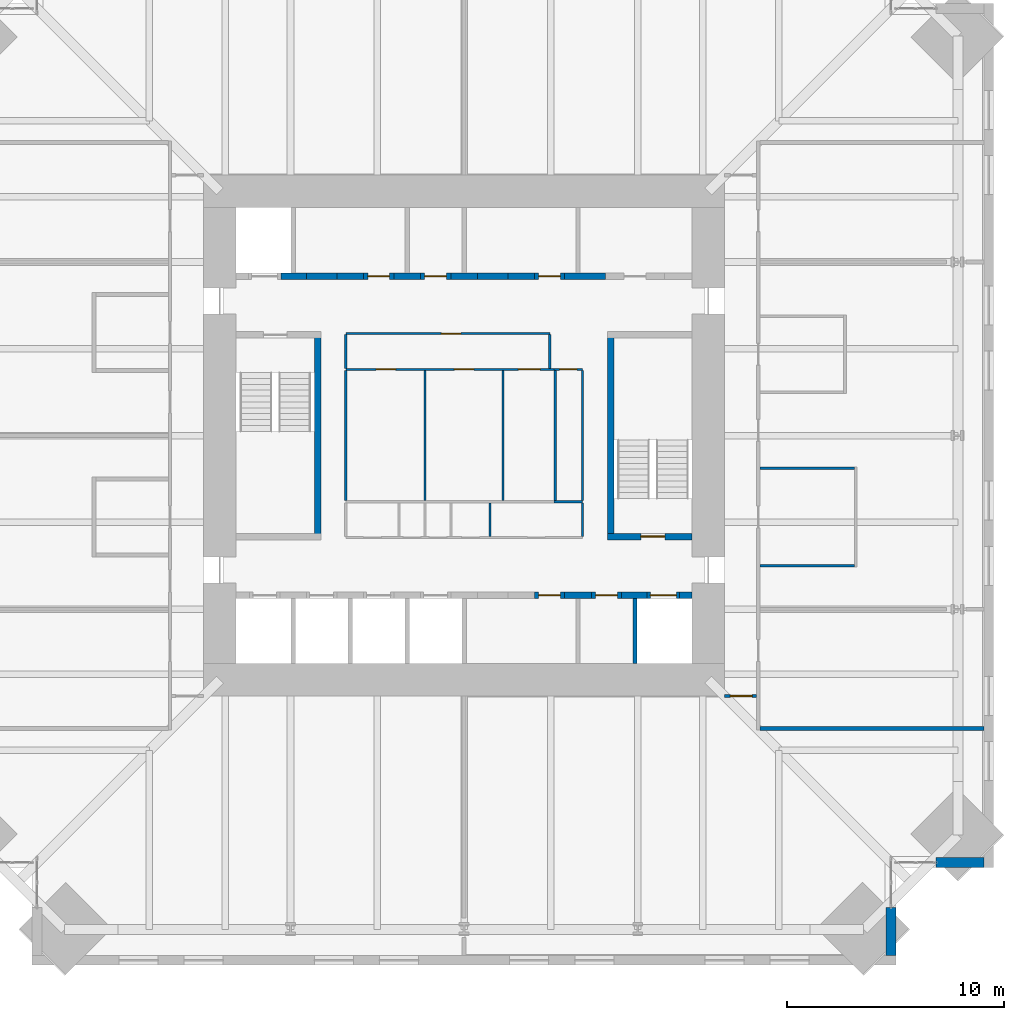
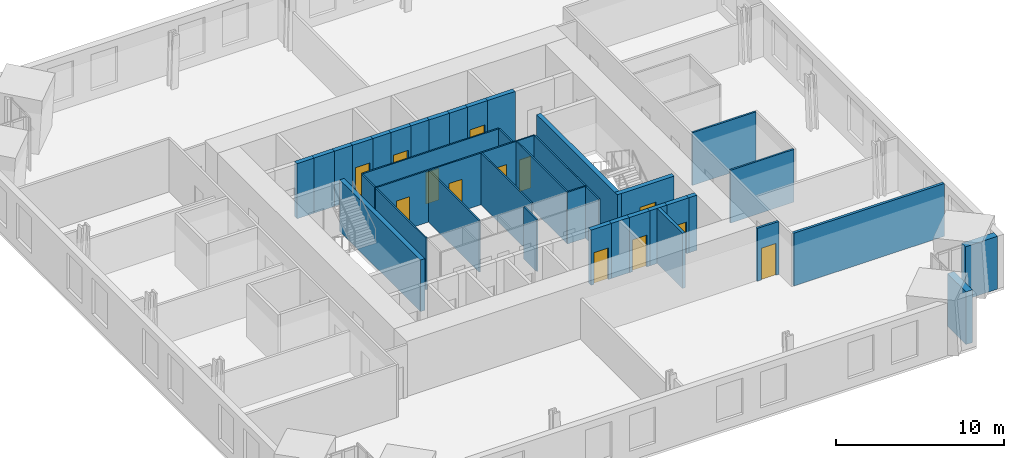
# One storey, part 12 of 15: 40 walls, 13 doors, 13 openings.
"""IFC4 building model written with IfcOpenShell, lengths in metres."""

from ifc_helpers import new_model, si_unit, direction, frame, frame_2d, origin, place, context, subcontext, project, spatial, rectangle, extrude, material, layer, layer_set, type_object, element, fill, save


model = new_model("IFC4")

# Units and contexts
model_context = context("Model", 3, precision=1e-05, world=origin(), true_north=direction((0.0, 1.0)))
body_context = subcontext(model_context, "Body", "Model", "MODEL_VIEW")
ifc_project = project(units=[si_unit("LENGTHUNIT", "METRE"), si_unit("AREAUNIT", "SQUARE_METRE"), si_unit("VOLUMEUNIT", "CUBIC_METRE"), si_unit("PLANEANGLEUNIT", "RADIAN"), si_unit("MASSUNIT", "GRAM", prefix="KILO")], contexts=[model_context])

# Site, building, storey
site_placement = place(None, origin())
site = spatial("IfcSite", under=ifc_project, at=site_placement, CompositionType="ELEMENT")
building_placement = place(site_placement, origin())
building = spatial("IfcBuilding", under=site, at=building_placement, Name="Peilmerk Tower", CompositionType="ELEMENT")
storey_placement = place(building_placement, frame((0.0, 0.0, 201.800048828125)))
storey = spatial("IfcBuildingStorey", under=building, at=storey_placement, Name="L43", CompositionType="ELEMENT", Elevation=201.800048828125)

# Walls
ifc_material_1 = material(Name="Precast concrete C45/55, board-marked finish", Category="concrete")
ifc_layer_1 = layer(ifc_material_1, 0.449951171875)
ifc_layer_set_1 = layer_set([ifc_layer_1], Name="Precast concrete C45/55, board-marked finish")
wall_type_1 = type_object("IfcWallType", Name="EW1 450 precast concrete facade wall, board-marked", PredefinedType="SOLIDWALL", material=ifc_layer_set_1)
for number, where, z_axis, x_axis, name in (
    (1, (19.675048828125, -21.753662109375, 0.0), (0.0, 0.0, 1.0), (0.0, -1.0, 0.0), "Facade wall SEA L43"),
    (2, (21.753662109375, -19.675048828125, 0.0), (0.0, 0.0, 1.0), (1.0, 0.0, 0.0), "Facade wall SEB L43"),
):
    element("IfcWall", number, at=place(storey_placement, frame(where, z_axis=z_axis, x_axis=x_axis)), inside=storey, type_object=wall_type_1, Name=name, PredefinedType="SOLIDWALL", context=body_context, shape_type="SweptSolid", body=[
        extrude(rectangle(XDim=2.1962890625, YDim=0.449951171875, at=frame_2d((1.09814453125, 0.0))), origin(), (0.0, 0.0, 1.0), 3.829833984375),
    ])

# Wall, opening, door
ifc_material_2 = material(Name="Calcium silicate block", Category="masonry")
ifc_layer_2 = layer(ifc_material_2, 0.14990234375)
ifc_layer_set_2 = layer_set([ifc_layer_2], Name="Calcium silicate block")
wall_type_2 = type_object("IfcWallType", Name="IW1 150 corridor partition, EI 60", PredefinedType="PARTITIONING", material=ifc_layer_set_2)
wall_1_placement = place(storey_placement, frame((13.47509765625, -12.0, 0.0), z_axis=(0.0, 0.0, 1.0), x_axis=(-1.0, 0.0, 0.0)))
wall_1 = element("IfcWall", 3, at=wall_1_placement, inside=storey, type_object=wall_type_2, Name="Corridor wall SE L43", PredefinedType="PARTITIONING", context=body_context, shape_type="SweptSolid", body=[
    extrude(rectangle(XDim=1.47509765625, YDim=0.14990234375, at=frame_2d((0.737548828125, 0.0))), origin(), (0.0, 0.0, 1.0), 3.829833984375),
])
opening_1_placement = place(wall_1_placement, frame((0.199951171875, 0.0, 0.0)))
opening_1 = element("IfcOpeningElement", 4, at=opening_1_placement, cuts=wall_1, Name="Opening D1", PredefinedType="OPENING", context=body_context, shape_type="SweptSolid", body=[
    extrude(rectangle(XDim=1.0, YDim=2.300048828125, at=frame_2d((0.5, 1.14990234375))), frame((0.0, 0.0849609375, 0.0), z_axis=(0.0, -1.0, 0.0), x_axis=(1.0, 0.0, 0.0)), (0.0, 0.0, 1.0), 0.169921875),
])
ifc_material_3 = material(Name="Timber door in steel frame", Category="steel")
door_type_1 = type_object("IfcDoorType", Name="D1 1000x2300 room door, EI2 30", OperationType="SINGLE_SWING_LEFT", PredefinedType="DOOR", material=ifc_material_3)
door_1_placement = place(opening_1_placement, origin())
door_1 = element("IfcDoor", 5, at=door_1_placement, inside=storey, type_object=door_type_1, Name="Door Engineering office L43", OperationType="SINGLE_SWING_LEFT", OverallHeight=2.300048828125, OverallWidth=1.0, PredefinedType="DOOR", context=body_context, shape_type="SweptSolid", body=[
    extrude(rectangle(XDim=1.0, YDim=2.300048828125, at=frame_2d((0.5, 1.14990234375))), frame((0.0, 0.02490234375, 0.0), z_axis=(0.0, -1.0, 0.0), x_axis=(1.0, 0.0, 0.0)), (0.0, 0.0, 1.0), 0.050048828125),
])
fill(opening_1, door_1)

# Walls
ifc_material_4 = material(Name="Concrete C35/45", Category="concrete")
ifc_layer_3 = layer(ifc_material_4, 0.300048828125)
ifc_layer_set_3 = layer_set([ifc_layer_3], Name="Concrete C35/45")
wall_type_3 = type_object("IfcWallType", Name="IW3 300 concrete stair enclosure wall, EI 120", PredefinedType="SOLIDWALL", material=ifc_layer_set_3)
for number, where, z_axis, x_axis, name in (
    (6, (-6.75, -4.800048828125, 0.0), (0.0, 0.0, 1.0), (0.0, 1.0, 0.0), "Stair 1 enclosure L43"),
    (7, (6.75, -4.800048828125, 0.0), (0.0, 0.0, 1.0), (0.0, 1.0, 0.0), "Stair 2 enclosure L43"),
):
    element("IfcWall", number, at=place(storey_placement, frame(where, z_axis=z_axis, x_axis=x_axis)), inside=storey, type_object=wall_type_3, Name=name, PredefinedType="SOLIDWALL", context=body_context, shape_type="SweptSolid", body=[
        extrude(rectangle(XDim=9.60009765625, YDim=0.300048828125, at=frame_2d((4.800048828125, 0.0))), origin(), (0.0, 0.0, 1.0), 3.75),
    ])

# Wall, opening, door
wall_2_placement = place(storey_placement, frame((10.5, -4.64990234375, 0.0), z_axis=(0.0, 0.0, 1.0), x_axis=(-1.0, 0.0, 0.0)))
wall_2 = element("IfcWall", 8, at=wall_2_placement, inside=storey, type_object=wall_type_3, Name="Stair 2 enclosure L43", PredefinedType="SOLIDWALL", context=body_context, shape_type="SweptSolid", body=[
    extrude(rectangle(XDim=3.89990234375, YDim=0.300048828125, at=frame_2d((1.949951171875, 0.0))), origin(), (0.0, 0.0, 1.0), 3.75),
])
opening_2_placement = place(wall_2_placement, frame((1.25, 0.0, 0.0)))
opening_2 = element("IfcOpeningElement", 9, at=opening_2_placement, cuts=wall_2, Name="Opening D4", PredefinedType="OPENING", context=body_context, shape_type="SweptSolid", body=[
    extrude(rectangle(XDim=1.10009765625, YDim=2.300048828125, at=frame_2d((0.550048828125, 1.14990234375))), frame((0.0, 0.159912109375, 0.0), z_axis=(0.0, -1.0, 0.0), x_axis=(1.0, 0.0, 0.0)), (0.0, 0.0, 1.0), 0.320068359375),
])
ifc_material_5 = material(Name="Steel door in steel frame", Category="steel")
door_type_2 = type_object("IfcDoorType", Name="D4 1100x2300 stair door, EI2 60", OperationType="SINGLE_SWING_RIGHT", PredefinedType="DOOR", material=ifc_material_5)
door_2_placement = place(opening_2_placement, frame((1.10009765625, 0.0, 0.0), z_axis=(0.0, 0.0, 1.0), x_axis=(-1.0, 0.0, 0.0)))
door_2 = element("IfcDoor", 10, at=door_2_placement, inside=storey, type_object=door_type_2, Name="Stair 2 door L43", OperationType="SINGLE_SWING_RIGHT", OverallHeight=2.300048828125, OverallWidth=1.10009765625, PredefinedType="DOOR", context=body_context, shape_type="SweptSolid", body=[
    extrude(rectangle(XDim=1.10009765625, YDim=2.300048828125, at=frame_2d((0.550048828125, 1.14990234375))), frame((0.0, 0.02490234375, 0.0), z_axis=(0.0, -1.0, 0.0), x_axis=(1.0, 0.0, 0.0)), (0.0, 0.0, 1.0), 0.050048828125),
])
fill(opening_2, door_2)

# Wall, openings, doors
ifc_material_6 = material(Name="Plasterboard on steel studs", Category="steel")
ifc_layer_4 = layer(ifc_material_6, 0.10009765625)
ifc_layer_set_4 = layer_set([ifc_layer_4], Name="Plasterboard on steel studs")
wall_type_4 = type_object("IfcWallType", Name="IW4 100 WC partition", PredefinedType="PARTITIONING", material=ifc_layer_set_4)
wall_3_placement = place(storey_placement, frame((-5.449951171875, 3.050048828125, 0.0), z_axis=(0.0, 0.0, 1.0), x_axis=(1.0, 0.0, 0.0)))
wall_3 = element("IfcWall", 11, at=wall_3_placement, inside=storey, type_object=wall_type_4, Name="WC wall L43", PredefinedType="PARTITIONING", context=body_context, shape_type="SweptSolid", body=[
    extrude(rectangle(XDim=9.599853515625, YDim=0.10009765625, at=frame_2d((4.7998046875, 0.0))), origin(), (0.0, 0.0, 1.0), 3.75),
])
opening_3_placement = place(wall_3_placement, frame((1.39990234375, 0.0, 0.0)))
opening_3 = element("IfcOpeningElement", 12, at=opening_3_placement, cuts=wall_3, Name="Opening D5", PredefinedType="OPENING", context=body_context, shape_type="SweptSolid", body=[
    extrude(rectangle(XDim=0.89990234375, YDim=2.300048828125, at=frame_2d((0.449951171875, 1.14990234375))), frame((0.0, 0.06005859375, 0.0), z_axis=(0.0, -1.0, 0.0), x_axis=(1.0, 0.0, 0.0)), (0.0, 0.0, 1.0), 0.1201171875),
])
opening_4_placement = place(wall_3_placement, frame((5.0, 0.0, 0.0)))
opening_4 = element("IfcOpeningElement", 13, at=opening_4_placement, cuts=wall_3, Name="Opening D5", PredefinedType="OPENING", context=body_context, shape_type="SweptSolid", body=[
    extrude(rectangle(XDim=0.89990234375, YDim=2.300048828125, at=frame_2d((0.449951171875, 1.14990234375))), frame((0.0, 0.06005859375, 0.0), z_axis=(0.0, -1.0, 0.0), x_axis=(1.0, 0.0, 0.0)), (0.0, 0.0, 1.0), 0.1201171875),
])
opening_5_placement = place(wall_3_placement, frame((7.949951171875, 0.0, 0.0)))
opening_5 = element("IfcOpeningElement", 14, at=opening_5_placement, cuts=wall_3, Name="Opening D6", PredefinedType="OPENING", context=body_context, shape_type="SweptSolid", body=[
    extrude(rectangle(XDim=1.0, YDim=2.300048828125, at=frame_2d((0.5, 1.14990234375))), frame((0.0, 0.06005859375, 0.0), z_axis=(0.0, -1.0, 0.0), x_axis=(1.0, 0.0, 0.0)), (0.0, 0.0, 1.0), 0.1201171875),
])
door_type_3 = type_object("IfcDoorType", Name="D5 900x2300 WC door", OperationType="SINGLE_SWING_LEFT", PredefinedType="DOOR", material=ifc_material_3)
door_3_placement = place(opening_3_placement, frame((0.89990234375, 0.0, 0.0), z_axis=(0.0, 0.0, 1.0), x_axis=(-1.0, 0.0, 0.0)))
door_3 = element("IfcDoor", 15, at=door_3_placement, inside=storey, type_object=door_type_3, Name="Male toilets door L43", OperationType="SINGLE_SWING_LEFT", OverallHeight=2.300048828125, OverallWidth=0.89990234375, PredefinedType="DOOR", context=body_context, shape_type="SweptSolid", body=[
    extrude(rectangle(XDim=0.89990234375, YDim=2.300048828125, at=frame_2d((0.449951171875, 1.14990234375))), frame((0.0, 0.02490234375, 0.0), z_axis=(0.0, -1.0, 0.0), x_axis=(1.0, 0.0, 0.0)), (0.0, 0.0, 1.0), 0.050048828125),
])
fill(opening_3, door_3)
door_4_placement = place(opening_4_placement, frame((0.89990234375, 0.0, 0.0), z_axis=(0.0, 0.0, 1.0), x_axis=(-1.0, 0.0, 0.0)))
door_4 = element("IfcDoor", 16, at=door_4_placement, inside=storey, type_object=door_type_3, Name="Female toilets door L43", OperationType="SINGLE_SWING_LEFT", OverallHeight=2.300048828125, OverallWidth=0.89990234375, PredefinedType="DOOR", context=body_context, shape_type="SweptSolid", body=[
    extrude(rectangle(XDim=0.89990234375, YDim=2.300048828125, at=frame_2d((0.449951171875, 1.14990234375))), frame((0.0, 0.02490234375, 0.0), z_axis=(0.0, -1.0, 0.0), x_axis=(1.0, 0.0, 0.0)), (0.0, 0.0, 1.0), 0.050048828125),
])
fill(opening_4, door_4)
door_type_4 = type_object("IfcDoorType", Name="D6 1000x2300 accessible WC door", OperationType="SLIDING_TO_LEFT", PredefinedType="DOOR", material=ifc_material_3)
door_5_placement = place(opening_5_placement, frame((1.0, 0.0, 0.0), z_axis=(0.0, 0.0, 1.0), x_axis=(-1.0, 0.0, 0.0)))
door_5 = element("IfcDoor", 17, at=door_5_placement, inside=storey, type_object=door_type_4, Name="Accessible WC door L43", OperationType="SLIDING_TO_LEFT", OverallHeight=2.300048828125, OverallWidth=1.0, PredefinedType="DOOR", context=body_context, shape_type="SweptSolid", body=[
    extrude(rectangle(XDim=1.0, YDim=2.300048828125, at=frame_2d((0.5, 1.14990234375))), frame((0.0, 0.02490234375, 0.0), z_axis=(0.0, -1.0, 0.0), x_axis=(1.0, 0.0, 0.0)), (0.0, 0.0, 1.0), 0.050048828125),
])
fill(opening_5, door_5)

# Walls
for number, where, z_axis, x_axis, name in (
    (18, (-5.449951171875, -3.0, 0.0), (0.0, 0.0, 1.0), (0.0, 1.0, 0.0), "WC wall L43"),
    (19, (-1.800048828125, -3.0, 0.0), (0.0, 0.0, 1.0), (0.0, 1.0, 0.0), "WC wall L43"),
    (20, (1.800048828125, -3.0, 0.0), (0.0, 0.0, 1.0), (0.0, 1.0, 0.0), "WC wall L43"),
):
    element("IfcWall", number, at=place(storey_placement, frame(where, z_axis=z_axis, x_axis=x_axis)), inside=storey, type_object=wall_type_4, Name=name, PredefinedType="PARTITIONING", context=body_context, shape_type="SweptSolid", body=[
        extrude(rectangle(XDim=6.0, YDim=0.10009765625, at=frame_2d((3.0, 0.0))), origin(), (0.0, 0.0, 1.0), 3.75),
    ])

# Wall, opening, door
ifc_material_7 = material(Name="Calcium silicate board on steel studs", Category="steel")
ifc_layer_5 = layer(ifc_material_7, 0.10009765625)
ifc_layer_set_5 = layer_set([ifc_layer_5], Name="Calcium silicate board on steel studs")
wall_type_5 = type_object("IfcWallType", Name="IW5 100 riser enclosure wall, EI 60", PredefinedType="PARTITIONING", material=ifc_layer_set_5)
wall_4_placement = place(storey_placement, frame((4.14990234375, 3.050048828125, 0.0), z_axis=(0.0, 0.0, 1.0), x_axis=(1.0, 0.0, 0.0)))
wall_4 = element("IfcWall", 21, at=wall_4_placement, inside=storey, type_object=wall_type_5, Name="Riser wall L43", PredefinedType="PARTITIONING", context=body_context, shape_type="SweptSolid", body=[
    extrude(rectangle(XDim=1.300048828125, YDim=0.10009765625, at=frame_2d((0.64990234375, 0.0))), origin(), (0.0, 0.0, 1.0), 3.75),
])
opening_6_placement = place(wall_4_placement, frame((0.25, 0.0, 0.0)))
opening_6 = element("IfcOpeningElement", 22, at=opening_6_placement, cuts=wall_4, Name="Opening D7", PredefinedType="OPENING", context=body_context, shape_type="SweptSolid", body=[
    extrude(rectangle(XDim=0.800048828125, YDim=2.300048828125, at=frame_2d((0.39990234375, 1.14990234375))), frame((0.0, 0.06005859375, 0.0), z_axis=(0.0, -1.0, 0.0), x_axis=(1.0, 0.0, 0.0)), (0.0, 0.0, 1.0), 0.1201171875),
])
door_type_5 = type_object("IfcDoorType", Name="D7 800x2300 riser access door, EI2 60", OperationType="SINGLE_SWING_RIGHT", PredefinedType="DOOR", material=ifc_material_5)
door_6_placement = place(opening_6_placement, frame((0.800048828125, 0.0, 0.0), z_axis=(0.0, 0.0, 1.0), x_axis=(-1.0, 0.0, 0.0)))
door_6 = element("IfcDoor", 23, at=door_6_placement, inside=storey, type_object=door_type_5, Name="Plumbing riser door L43", OperationType="SINGLE_SWING_RIGHT", OverallHeight=2.300048828125, OverallWidth=0.800048828125, PredefinedType="DOOR", context=body_context, shape_type="SweptSolid", body=[
    extrude(rectangle(XDim=0.800048828125, YDim=2.300048828125, at=frame_2d((0.39990234375, 1.14990234375))), frame((0.0, 0.02490234375, 0.0), z_axis=(0.0, -1.0, 0.0), x_axis=(1.0, 0.0, 0.0)), (0.0, 0.0, 1.0), 0.050048828125),
])
fill(opening_6, door_6)

# Walls
wall_5_placement = place(storey_placement, frame((5.449951171875, -3.050048828125, 0.0), z_axis=(0.0, 0.0, 1.0), x_axis=(-1.0, 0.0, 0.0)))
element("IfcWall", 24, at=wall_5_placement, inside=storey, type_object=wall_type_5, Name="Riser wall L43", PredefinedType="PARTITIONING", context=body_context, shape_type="SweptSolid", body=[
    extrude(rectangle(XDim=1.300048828125, YDim=0.10009765625, at=frame_2d((0.64990234375, 0.0))), origin(), (0.0, 0.0, 1.0), 3.75),
])
for number, where, z_axis, x_axis, name in (
    (25, (5.449951171875, 3.0, 0.0), (0.0, 0.0, 1.0), (0.0, -1.0, 0.0), "Riser wall L43"),
    (26, (4.199951171875, -3.0, 0.0), (0.0, 0.0, 1.0), (0.0, 1.0, 0.0), "Riser wall L43"),
):
    element("IfcWall", number, at=place(storey_placement, frame(where, z_axis=z_axis, x_axis=x_axis)), inside=storey, type_object=wall_type_5, Name=name, PredefinedType="PARTITIONING", context=body_context, shape_type="SweptSolid", body=[
        extrude(rectangle(XDim=6.0, YDim=0.10009765625, at=frame_2d((3.0, 0.0))), origin(), (0.0, 0.0, 1.0), 3.75),
    ])
for number, where, z_axis, x_axis, name in (
    (27, (5.449951171875, -3.10009765625, 0.0), (0.0, 0.0, 1.0), (0.0, -1.0, 0.0), "Riser wall L43"),
    (28, (1.199951171875, -3.10009765625, 0.0), (0.0, 0.0, 1.0), (0.0, -1.0, 0.0), "Riser wall L43"),
):
    element("IfcWall", number, at=place(storey_placement, frame(where, z_axis=z_axis, x_axis=x_axis)), inside=storey, type_object=wall_type_5, Name=name, PredefinedType="PARTITIONING", context=body_context, shape_type="SweptSolid", body=[
        extrude(rectangle(XDim=1.5498046875, YDim=0.10009765625, at=frame_2d((0.77490234375, 0.0))), origin(), (0.0, 0.0, 1.0), 3.75),
    ])
ifc_material_8 = material(Name="Plasterboard on steel studs, double boarded with mineral wool", Category="steel")
ifc_layer_6 = layer(ifc_material_8, 0.125)
ifc_layer_set_6 = layer_set([ifc_layer_6], Name="Plasterboard on steel studs, double boarded with mineral wool")
wall_type_6 = type_object("IfcWallType", Name="IW7 125 acoustic partition, EI 30", PredefinedType="PARTITIONING", material=ifc_layer_set_6)
for number, where, z_axis, x_axis, name in (
    (29, (13.625, -6.0, 0.0), (0.0, 0.0, 1.0), (1.0, 0.0, 0.0), "Acoustic partition Meeting room L43"),
    (30, (13.625, -1.5, 0.0), (0.0, 0.0, 1.0), (1.0, 0.0, 0.0), "Acoustic partition Meeting room L43"),
):
    element("IfcWall", number, at=place(storey_placement, frame(where, z_axis=z_axis, x_axis=x_axis)), inside=storey, type_object=wall_type_6, Name=name, PredefinedType="PARTITIONING", context=body_context, shape_type="SweptSolid", body=[
        extrude(rectangle(XDim=4.362548828125, YDim=0.125, at=frame_2d((2.18115234375, 0.0))), origin(), (0.0, 0.0, 1.0), 3.829833984375),
    ])
ifc_layer_7 = layer(ifc_material_2, 0.175048828125)
ifc_layer_set_7 = layer_set([ifc_layer_7], Name="Calcium silicate block")
wall_type_7 = type_object("IfcWallType", Name="IW8 175 tenant separating wall, EI 60", PredefinedType="PARTITIONING", material=ifc_layer_set_7)
wall_6_placement = place(storey_placement, frame((23.949951171875, -13.5, 0.0), z_axis=(0.0, 0.0, 1.0), x_axis=(-1.0, 0.0, 0.0)))
element("IfcWall", 31, at=wall_6_placement, inside=storey, type_object=wall_type_7, Name="Tenant separating wall SE L43", PredefinedType="PARTITIONING", context=body_context, shape_type="SweptSolid", body=[
    extrude(rectangle(XDim=10.324951171875, YDim=0.175048828125, at=frame_2d((5.16259765625, 0.0))), origin(), (0.0, 0.0, 1.0), 3.829833984375),
])

# Wall, opening, door
ifc_material_9 = material(Name="Fire-resisting plasterboard on steel studs", Category="steel")
ifc_layer_8 = layer(ifc_material_9, 0.10009765625)
ifc_layer_set_8 = layer_set([ifc_layer_8], Name="Fire-resisting plasterboard on steel studs")
wall_type_8 = type_object("IfcWallType", Name="IW9 100 WC lobby wall, EI 30", PredefinedType="PARTITIONING", material=ifc_layer_set_8)
wall_7_placement = place(storey_placement, frame((-5.449951171875, 4.699951171875, 0.0), z_axis=(0.0, 0.0, 1.0), x_axis=(1.0, 0.0, 0.0)))
wall_7 = element("IfcWall", 32, at=wall_7_placement, inside=storey, type_object=wall_type_8, Name="WC lobby wall L43", PredefinedType="PARTITIONING", context=body_context, shape_type="SweptSolid", body=[
    extrude(rectangle(XDim=9.39990234375, YDim=0.10009765625, at=frame_2d((4.699951171875, 0.0))), origin(), (0.0, 0.0, 1.0), 3.75),
])
opening_7_placement = place(wall_7_placement, frame((4.39990234375, 0.0, 0.0)))
opening_7 = element("IfcOpeningElement", 33, at=opening_7_placement, cuts=wall_7, Name="Opening D11", PredefinedType="OPENING", context=body_context, shape_type="SweptSolid", body=[
    extrude(rectangle(XDim=0.89990234375, YDim=2.300048828125, at=frame_2d((0.449951171875, 1.14990234375))), frame((0.0, 0.06005859375, 0.0), z_axis=(0.0, -1.0, 0.0), x_axis=(1.0, 0.0, 0.0)), (0.0, 0.0, 1.0), 0.1201171875),
])
door_type_6 = type_object("IfcDoorType", Name="D11 900x2300 WC lobby door, EI2 30", OperationType="SINGLE_SWING_LEFT", PredefinedType="DOOR", material=ifc_material_3)
door_7_placement = place(opening_7_placement, frame((0.89990234375, 0.0, 0.0), z_axis=(0.0, 0.0, 1.0), x_axis=(-1.0, 0.0, 0.0)))
door_7 = element("IfcDoor", 34, at=door_7_placement, inside=storey, type_object=door_type_6, Name="WC lobby door L43", OperationType="SINGLE_SWING_LEFT", OverallHeight=2.300048828125, OverallWidth=0.89990234375, PredefinedType="DOOR", context=body_context, shape_type="SweptSolid", body=[
    extrude(rectangle(XDim=0.89990234375, YDim=2.300048828125, at=frame_2d((0.449951171875, 1.14990234375))), frame((0.0, 0.02490234375, 0.0), z_axis=(0.0, -1.0, 0.0), x_axis=(1.0, 0.0, 0.0)), (0.0, 0.0, 1.0), 0.050048828125),
])
fill(opening_7, door_7)

# Walls
for number, where, z_axis, x_axis, name in (
    (35, (-5.449951171875, 3.10009765625, 0.0), (0.0, 0.0, 1.0), (0.0, 1.0, 0.0), "WC lobby wall L43"),
    (36, (3.949951171875, 3.10009765625, 0.0), (0.0, 0.0, 1.0), (0.0, 1.0, 0.0), "WC lobby wall L43"),
):
    element("IfcWall", number, at=place(storey_placement, frame(where, z_axis=z_axis, x_axis=x_axis)), inside=storey, type_object=wall_type_8, Name=name, PredefinedType="PARTITIONING", context=body_context, shape_type="SweptSolid", body=[
        extrude(rectangle(XDim=1.5498046875, YDim=0.10009765625, at=frame_2d((0.77490234375, 0.0))), origin(), (0.0, 0.0, 1.0), 3.75),
    ])
ifc_layer_9 = layer(ifc_material_2, 0.199951171875)
ifc_layer_set_9 = layer_set([ifc_layer_9], Name="Calcium silicate block")
wall_type_9 = type_object("IfcWallType", Name="SH1 200 shaft dividing wall, EI 120", PredefinedType="PARTITIONING", material=ifc_layer_set_9)
wall_8_placement = place(storey_placement, frame((7.875, -10.5, 0.0), z_axis=(0.0, 0.0, 1.0), x_axis=(0.0, 1.0, 0.0)))
element("IfcWall", 37, at=wall_8_placement, inside=storey, type_object=wall_type_9, Name="Shaft wall S B1 L43", PredefinedType="PARTITIONING", context=body_context, shape_type="SweptSolid", body=[
    extrude(rectangle(XDim=3.0, YDim=0.199951171875, at=frame_2d((1.5, 0.0))), origin(), (0.0, 0.0, 1.0), 4.0),
])
ifc_layer_10 = layer(ifc_material_2, 0.300048828125)
ifc_layer_set_10 = layer_set([ifc_layer_10], Name="Calcium silicate block")
wall_type_10 = type_object("IfcWallType", Name="SH2 300 lift landing door panel, EI 120", PredefinedType="PARTITIONING", material=ifc_layer_set_10)
wall_9_placement = place(storey_placement, frame((-7.262451171875, 7.35009765625, 0.0), z_axis=(0.0, 0.0, 1.0), x_axis=(1.0, 0.0, 0.0)))
element("IfcWall", 38, at=wall_9_placement, inside=storey, type_object=wall_type_10, Name="Lift door panel N A1 L43", PredefinedType="PARTITIONING", context=body_context, shape_type="SweptSolid", body=[
    extrude(rectangle(XDim=1.39990234375, YDim=0.300048828125, at=frame_2d((0.699951171875, 0.0))), origin(), (0.0, 0.0, 1.0), 4.0),
])

# Wall, opening, door
wall_10_placement = place(storey_placement, frame((-4.637451171875, 7.35009765625, 0.0), z_axis=(0.0, 0.0, 1.0), x_axis=(1.0, 0.0, 0.0)))
wall_10 = element("IfcWall", 39, at=wall_10_placement, inside=storey, type_object=wall_type_10, Name="Lift door panel N A2 L43", PredefinedType="PARTITIONING", context=body_context, shape_type="SweptSolid", body=[
    extrude(rectangle(XDim=1.39990234375, YDim=0.300048828125, at=frame_2d((0.699951171875, 0.0))), origin(), (0.0, 0.0, 1.0), 4.0),
])
opening_8_placement = place(wall_10_placement, frame((0.199951171875, 0.0, 0.0)))
opening_8 = element("IfcOpeningElement", 40, at=opening_8_placement, cuts=wall_10, Name="Opening D10", PredefinedType="OPENING", context=body_context, shape_type="SweptSolid", body=[
    extrude(rectangle(XDim=1.0, YDim=2.300048828125, at=frame_2d((0.5, 1.14990234375))), frame((0.0, 0.159912109375, 0.0), z_axis=(0.0, -1.0, 0.0), x_axis=(1.0, 0.0, 0.0)), (0.0, 0.0, 1.0), 0.320068359375),
])
door_type_7 = type_object("IfcDoorType", Name="D10 1000x2300 core room door, EI2 60", OperationType="SINGLE_SWING_RIGHT", PredefinedType="DOOR", material=ifc_material_5)
door_8_placement = place(opening_8_placement, origin())
door_8 = element("IfcDoor", 41, at=door_8_placement, inside=storey, type_object=door_type_7, Name="Door Staff room L43", OperationType="SINGLE_SWING_RIGHT", OverallHeight=2.300048828125, OverallWidth=1.0, PredefinedType="DOOR", context=body_context, shape_type="SweptSolid", body=[
    extrude(rectangle(XDim=1.0, YDim=2.300048828125, at=frame_2d((0.5, 1.14990234375))), frame((0.0, 0.02490234375, 0.0), z_axis=(0.0, -1.0, 0.0), x_axis=(1.0, 0.0, 0.0)), (0.0, 0.0, 1.0), 0.050048828125),
])
fill(opening_8, door_8)

wall_11_placement = place(storey_placement, frame((-2.012451171875, 7.35009765625, 0.0), z_axis=(0.0, 0.0, 1.0), x_axis=(1.0, 0.0, 0.0)))
wall_11 = element("IfcWall", 42, at=wall_11_placement, inside=storey, type_object=wall_type_10, Name="Lift door panel N A3 L43", PredefinedType="PARTITIONING", context=body_context, shape_type="SweptSolid", body=[
    extrude(rectangle(XDim=1.39990234375, YDim=0.300048828125, at=frame_2d((0.699951171875, 0.0))), origin(), (0.0, 0.0, 1.0), 4.0),
])
opening_9_placement = place(wall_11_placement, frame((0.199951171875, 0.0, 0.0)))
opening_9 = element("IfcOpeningElement", 43, at=opening_9_placement, cuts=wall_11, Name="Opening D10", PredefinedType="OPENING", context=body_context, shape_type="SweptSolid", body=[
    extrude(rectangle(XDim=1.0, YDim=2.300048828125, at=frame_2d((0.5, 1.14990234375))), frame((0.0, 0.159912109375, 0.0), z_axis=(0.0, -1.0, 0.0), x_axis=(1.0, 0.0, 0.0)), (0.0, 0.0, 1.0), 0.320068359375),
])
door_9_placement = place(opening_9_placement, origin())
door_9 = element("IfcDoor", 44, at=door_9_placement, inside=storey, type_object=door_type_7, Name="Door Water meter room L43", OperationType="SINGLE_SWING_RIGHT", OverallHeight=2.300048828125, OverallWidth=1.0, PredefinedType="DOOR", context=body_context, shape_type="SweptSolid", body=[
    extrude(rectangle(XDim=1.0, YDim=2.300048828125, at=frame_2d((0.5, 1.14990234375))), frame((0.0, 0.02490234375, 0.0), z_axis=(0.0, -1.0, 0.0), x_axis=(1.0, 0.0, 0.0)), (0.0, 0.0, 1.0), 0.050048828125),
])
fill(opening_9, door_9)

# Wall
wall_12_placement = place(storey_placement, frame((0.612548828125, 7.35009765625, 0.0), z_axis=(0.0, 0.0, 1.0), x_axis=(1.0, 0.0, 0.0)))
element("IfcWall", 45, at=wall_12_placement, inside=storey, type_object=wall_type_10, Name="Lift door panel N S1 L43", PredefinedType="PARTITIONING", context=body_context, shape_type="SweptSolid", body=[
    extrude(rectangle(XDim=1.39990234375, YDim=0.300048828125, at=frame_2d((0.699951171875, 0.0))), origin(), (0.0, 0.0, 1.0), 4.0),
])

# Wall, opening, door
wall_13_placement = place(storey_placement, frame((3.237548828125, 7.35009765625, 0.0), z_axis=(0.0, 0.0, 1.0), x_axis=(1.0, 0.0, 0.0)))
wall_13 = element("IfcWall", 46, at=wall_13_placement, inside=storey, type_object=wall_type_10, Name="Lift door panel N S2 L43", PredefinedType="PARTITIONING", context=body_context, shape_type="SweptSolid", body=[
    extrude(rectangle(XDim=1.39990234375, YDim=0.300048828125, at=frame_2d((0.699951171875, 0.0))), origin(), (0.0, 0.0, 1.0), 4.0),
])
opening_10_placement = place(wall_13_placement, frame((0.199951171875, 0.0, 0.0)))
opening_10 = element("IfcOpeningElement", 47, at=opening_10_placement, cuts=wall_13, Name="Opening D10", PredefinedType="OPENING", context=body_context, shape_type="SweptSolid", body=[
    extrude(rectangle(XDim=1.0, YDim=2.300048828125, at=frame_2d((0.5, 1.14990234375))), frame((0.0, 0.159912109375, 0.0), z_axis=(0.0, -1.0, 0.0), x_axis=(1.0, 0.0, 0.0)), (0.0, 0.0, 1.0), 0.320068359375),
])
door_10_placement = place(opening_10_placement, origin())
door_10 = element("IfcDoor", 48, at=door_10_placement, inside=storey, type_object=door_type_7, Name="Door First aid room L43", OperationType="SINGLE_SWING_RIGHT", OverallHeight=2.300048828125, OverallWidth=1.0, PredefinedType="DOOR", context=body_context, shape_type="SweptSolid", body=[
    extrude(rectangle(XDim=1.0, YDim=2.300048828125, at=frame_2d((0.5, 1.14990234375))), frame((0.0, 0.02490234375, 0.0), z_axis=(0.0, -1.0, 0.0), x_axis=(1.0, 0.0, 0.0)), (0.0, 0.0, 1.0), 0.050048828125),
])
fill(opening_10, door_10)

wall_14_placement = place(storey_placement, frame((3.237548828125, -7.35009765625, 0.0), z_axis=(0.0, 0.0, 1.0), x_axis=(1.0, 0.0, 0.0)))
wall_14 = element("IfcWall", 49, at=wall_14_placement, inside=storey, type_object=wall_type_10, Name="Lift door panel S B2 L43", PredefinedType="PARTITIONING", context=body_context, shape_type="SweptSolid", body=[
    extrude(rectangle(XDim=1.39990234375, YDim=0.300048828125, at=frame_2d((0.699951171875, 0.0))), origin(), (0.0, 0.0, 1.0), 4.0),
])
opening_11_placement = place(wall_14_placement, frame((0.199951171875, 0.0, 0.0)))
opening_11 = element("IfcOpeningElement", 50, at=opening_11_placement, cuts=wall_14, Name="Opening D10", PredefinedType="OPENING", context=body_context, shape_type="SweptSolid", body=[
    extrude(rectangle(XDim=1.0, YDim=2.300048828125, at=frame_2d((0.5, 1.14990234375))), frame((0.0, 0.159912109375, 0.0), z_axis=(0.0, -1.0, 0.0), x_axis=(1.0, 0.0, 0.0)), (0.0, 0.0, 1.0), 0.320068359375),
])
door_11_placement = place(opening_11_placement, frame((1.0, 0.0, 0.0), z_axis=(0.0, 0.0, 1.0), x_axis=(-1.0, 0.0, 0.0)))
door_11 = element("IfcDoor", 51, at=door_11_placement, inside=storey, type_object=door_type_7, Name="Door Mail room L43", OperationType="SINGLE_SWING_RIGHT", OverallHeight=2.300048828125, OverallWidth=1.0, PredefinedType="DOOR", context=body_context, shape_type="SweptSolid", body=[
    extrude(rectangle(XDim=1.0, YDim=2.300048828125, at=frame_2d((0.5, 1.14990234375))), frame((0.0, 0.02490234375, 0.0), z_axis=(0.0, -1.0, 0.0), x_axis=(1.0, 0.0, 0.0)), (0.0, 0.0, 1.0), 0.050048828125),
])
fill(opening_11, door_11)

wall_15_placement = place(storey_placement, frame((5.862548828125, -7.35009765625, 0.0), z_axis=(0.0, 0.0, 1.0), x_axis=(1.0, 0.0, 0.0)))
wall_15 = element("IfcWall", 52, at=wall_15_placement, inside=storey, type_object=wall_type_10, Name="Lift door panel S B1 L43", PredefinedType="PARTITIONING", context=body_context, shape_type="SweptSolid", body=[
    extrude(rectangle(XDim=1.39990234375, YDim=0.300048828125, at=frame_2d((0.699951171875, 0.0))), origin(), (0.0, 0.0, 1.0), 4.0),
])
opening_12_placement = place(wall_15_placement, frame((0.199951171875, 0.0, 0.0)))
opening_12 = element("IfcOpeningElement", 53, at=opening_12_placement, cuts=wall_15, Name="Opening D10", PredefinedType="OPENING", context=body_context, shape_type="SweptSolid", body=[
    extrude(rectangle(XDim=1.0, YDim=2.300048828125, at=frame_2d((0.5, 1.14990234375))), frame((0.0, 0.159912109375, 0.0), z_axis=(0.0, -1.0, 0.0), x_axis=(1.0, 0.0, 0.0)), (0.0, 0.0, 1.0), 0.320068359375),
])
door_12_placement = place(opening_12_placement, frame((1.0, 0.0, 0.0), z_axis=(0.0, 0.0, 1.0), x_axis=(-1.0, 0.0, 0.0)))
door_12 = element("IfcDoor", 54, at=door_12_placement, inside=storey, type_object=door_type_7, Name="Door IT room L43", OperationType="SINGLE_SWING_RIGHT", OverallHeight=2.300048828125, OverallWidth=1.0, PredefinedType="DOOR", context=body_context, shape_type="SweptSolid", body=[
    extrude(rectangle(XDim=1.0, YDim=2.300048828125, at=frame_2d((0.5, 1.14990234375))), frame((0.0, 0.02490234375, 0.0), z_axis=(0.0, -1.0, 0.0), x_axis=(1.0, 0.0, 0.0)), (0.0, 0.0, 1.0), 0.050048828125),
])
fill(opening_12, door_12)

wall_16_placement = place(storey_placement, frame((8.4375, -7.35009765625, 0.0), z_axis=(0.0, 0.0, 1.0), x_axis=(1.0, 0.0, 0.0)))
wall_16 = element("IfcWall", 55, at=wall_16_placement, inside=storey, type_object=wall_type_10, Name="Lift door panel S FL2 L43", PredefinedType="PARTITIONING", context=body_context, shape_type="SweptSolid", body=[
    extrude(rectangle(XDim=1.5, YDim=0.300048828125, at=frame_2d((0.75, 0.0))), origin(), (0.0, 0.0, 1.0), 4.0),
])
opening_13_placement = place(wall_16_placement, frame((0.14990234375, 0.0, 0.0)))
opening_13 = element("IfcOpeningElement", 56, at=opening_13_placement, cuts=wall_16, Name="Opening LD2", PredefinedType="OPENING", context=body_context, shape_type="SweptSolid", body=[
    extrude(rectangle(XDim=1.199951171875, YDim=2.300048828125, at=frame_2d((0.60009765625, 1.14990234375))), frame((0.0, 0.159912109375, 0.0), z_axis=(0.0, -1.0, 0.0), x_axis=(1.0, 0.0, 0.0)), (0.0, 0.0, 1.0), 0.320068359375),
])
ifc_material_10 = material(Name="Stainless steel landing door", Category="steel")
door_type_8 = type_object("IfcDoorType", Name="LD2 1200x2300 lift landing door, sliding, EI2 60", OperationType="SLIDING_TO_LEFT", PredefinedType="DOOR", material=ifc_material_10)
door_13_placement = place(opening_13_placement, origin())
door_13 = element("IfcDoor", 57, at=door_13_placement, inside=storey, type_object=door_type_8, Name="Lift landing door FL2 L43", OperationType="SLIDING_TO_LEFT", OverallHeight=2.300048828125, OverallWidth=1.199951171875, PredefinedType="DOOR", context=body_context, shape_type="SweptSolid", body=[
    extrude(rectangle(XDim=1.199951171875, YDim=2.300048828125, at=frame_2d((0.60009765625, 1.14990234375))), frame((0.0, 0.02490234375, 0.0), z_axis=(0.0, -1.0, 0.0), x_axis=(1.0, 0.0, 0.0)), (0.0, 0.0, 1.0), 0.050048828125),
])
fill(opening_13, door_13)

# Walls
ifc_material_11 = material(Name="Concrete C55/67", Category="concrete")
ifc_layer_11 = layer(ifc_material_11, 0.300048828125)
ifc_layer_set_11 = layer_set([ifc_layer_11], Name="Concrete C55/67")
wall_type_11 = type_object("IfcWallType", Name="SW2 300 lift bank pier", PredefinedType="SHEAR", material=ifc_layer_set_11)
wall_17_placement = place(storey_placement, frame((-8.4375, 7.35009765625, 0.0), z_axis=(0.0, 0.0, 1.0), x_axis=(1.0, 0.0, 0.0)))
element("IfcWall", 58, at=wall_17_placement, inside=storey, type_object=wall_type_11, Name="Lift bank pier N L43", PredefinedType="SHEAR", context=body_context, shape_type="SweptSolid", body=[
    extrude(rectangle(XDim=1.175048828125, YDim=0.300048828125, at=frame_2d((0.58740234375, 0.0))), origin(), (0.0, 0.0, 1.0), 4.0),
])
for number, where, z_axis, x_axis, name in (
    (59, (-5.862548828125, 7.35009765625, 0.0), (0.0, 0.0, 1.0), (1.0, 0.0, 0.0), "Lift bank pier N L43"),
    (60, (-3.237548828125, 7.35009765625, 0.0), (0.0, 0.0, 1.0), (1.0, 0.0, 0.0), "Lift bank pier N L43"),
    (61, (-0.612548828125, 7.35009765625, 0.0), (0.0, 0.0, 1.0), (1.0, 0.0, 0.0), "Lift bank pier N L43"),
    (62, (2.012451171875, 7.35009765625, 0.0), (0.0, 0.0, 1.0), (1.0, 0.0, 0.0), "Lift bank pier N L43"),
):
    element("IfcWall", number, at=place(storey_placement, frame(where, z_axis=z_axis, x_axis=x_axis)), inside=storey, type_object=wall_type_11, Name=name, PredefinedType="SHEAR", context=body_context, shape_type="SweptSolid", body=[
        extrude(rectangle(XDim=1.22509765625, YDim=0.300048828125, at=frame_2d((0.612548828125, 0.0))), origin(), (0.0, 0.0, 1.0), 4.0),
    ])
wall_18_placement = place(storey_placement, frame((4.637451171875, 7.35009765625, 0.0), z_axis=(0.0, 0.0, 1.0), x_axis=(1.0, 0.0, 0.0)))
element("IfcWall", 63, at=wall_18_placement, inside=storey, type_object=wall_type_11, Name="Lift bank pier N L43", PredefinedType="SHEAR", context=body_context, shape_type="SweptSolid", body=[
    extrude(rectangle(XDim=1.887451171875, YDim=0.300048828125, at=frame_2d((0.94384765625, 0.0))), origin(), (0.0, 0.0, 1.0), 4.0),
])
wall_19_placement = place(storey_placement, frame((4.637451171875, -7.35009765625, 0.0), z_axis=(0.0, 0.0, 1.0), x_axis=(1.0, 0.0, 0.0)))
element("IfcWall", 64, at=wall_19_placement, inside=storey, type_object=wall_type_11, Name="Lift bank pier S L43", PredefinedType="SHEAR", context=body_context, shape_type="SweptSolid", body=[
    extrude(rectangle(XDim=1.22509765625, YDim=0.300048828125, at=frame_2d((0.612548828125, 0.0))), origin(), (0.0, 0.0, 1.0), 4.0),
])
wall_20_placement = place(storey_placement, frame((7.262451171875, -7.35009765625, 0.0), z_axis=(0.0, 0.0, 1.0), x_axis=(1.0, 0.0, 0.0)))
element("IfcWall", 65, at=wall_20_placement, inside=storey, type_object=wall_type_11, Name="Lift bank pier S L43", PredefinedType="SHEAR", context=body_context, shape_type="SweptSolid", body=[
    extrude(rectangle(XDim=1.175048828125, YDim=0.300048828125, at=frame_2d((0.58740234375, 0.0))), origin(), (0.0, 0.0, 1.0), 4.0),
])
wall_21_placement = place(storey_placement, frame((9.9375, -7.35009765625, 0.0), z_axis=(0.0, 0.0, 1.0), x_axis=(1.0, 0.0, 0.0)))
element("IfcWall", 66, at=wall_21_placement, inside=storey, type_object=wall_type_11, Name="Lift bank pier S L43", PredefinedType="SHEAR", context=body_context, shape_type="SweptSolid", body=[
    extrude(rectangle(XDim=0.5625, YDim=0.300048828125, at=frame_2d((0.28125, 0.0))), origin(), (0.0, 0.0, 1.0), 4.0),
])

save(model, "model.ifc")
